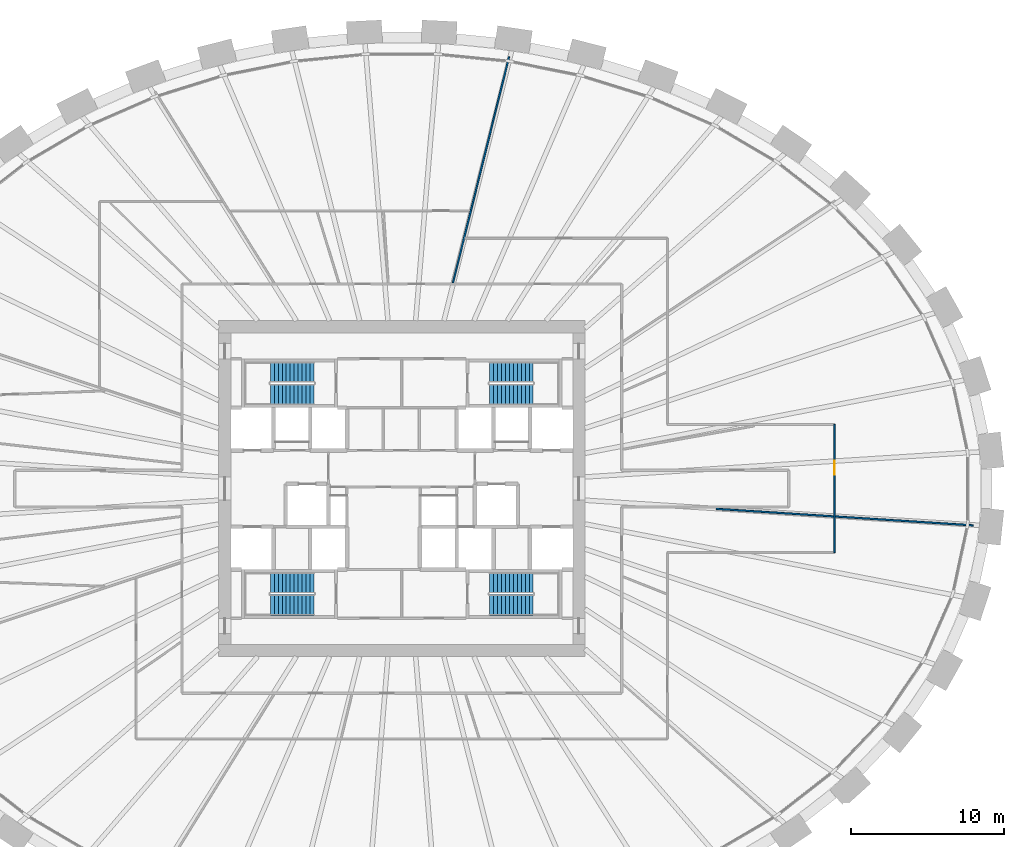
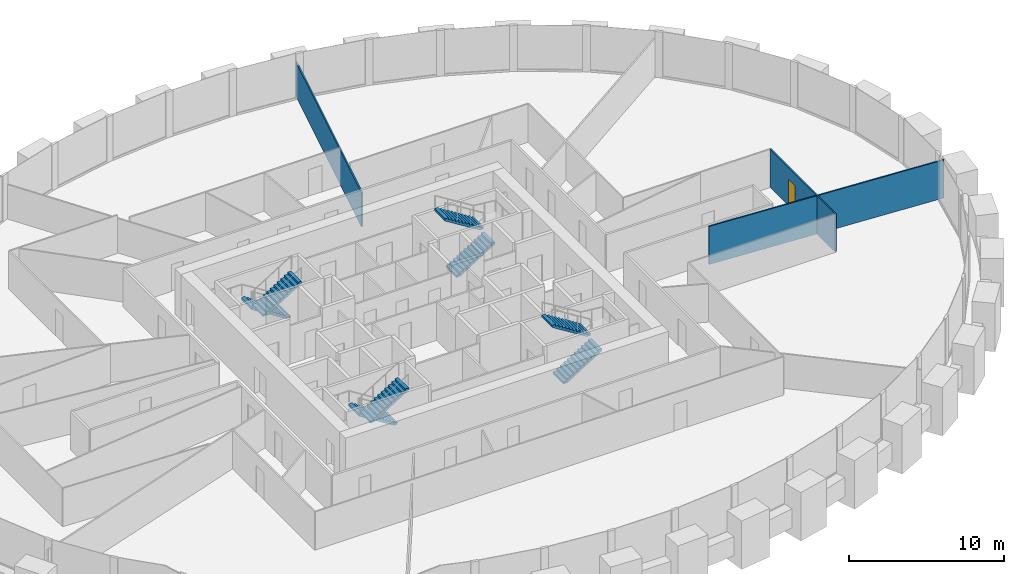
# One storey, part 10 of 11: 8 stair flights, 3 walls, 1 door, 1 opening, 4 elements without a shape of their own.
"""IFC4 building model written with IfcOpenShell, lengths in metres."""

from ifc_helpers import new_model, si_unit, direction, frame, frame_2d, origin, place, context, subcontext, project, spatial, polyline, rectangle, outline, extrude, source, transform, mapped, material, layer, layer_set, type_object, element, fill, aggregate, save


model = new_model("IFC4")

# Units and contexts
model_context = context("Model", 3, precision=1e-05, world=origin(), true_north=direction((0.0, 1.0)))
body_context = subcontext(model_context, "Body", "Model", "MODEL_VIEW")
ifc_project = project(units=[si_unit("LENGTHUNIT", "METRE"), si_unit("AREAUNIT", "SQUARE_METRE"), si_unit("VOLUMEUNIT", "CUBIC_METRE"), si_unit("PLANEANGLEUNIT", "RADIAN"), si_unit("MASSUNIT", "GRAM", prefix="KILO")], contexts=[model_context])

# Site, building, storey
site_placement = place(None, origin())
site = spatial("IfcSite", under=ifc_project, at=site_placement, CompositionType="ELEMENT")
building_placement = place(site_placement, origin())
building = spatial("IfcBuilding", under=site, at=building_placement, Name="Embergate Tower", CompositionType="ELEMENT")
storey_placement = place(building_placement, frame((0.0, 0.0, 143.699951171875)))
storey = spatial("IfcBuildingStorey", under=building, at=storey_placement, Name="L31", CompositionType="ELEMENT", Elevation=143.699951171875)

# Wall, opening, door
ifc_material_1 = material(Name="Partition dry-lined 100")
ifc_layer_1 = layer(ifc_material_1, 0.10009765625)
ifc_layer_set_1 = layer_set([ifc_layer_1], Name="Partition dry-lined 100")
wall_type_1 = type_object("IfcWallType", Name="Partition dry-lined 100", PredefinedType="PARTITIONING", material=ifc_layer_set_1)
shared_shape_1 = source(origin(), body_context, "Body", "SweptSolid", [
    extrude(rectangle(XDim=8.39990234375, YDim=0.10009765625, at=frame_2d((4.199951171875, 0.0))), origin(), (0.0, 0.0, 1.0), 3.0),
])
wall_1_placement = place(storey_placement, frame((28.35009765625, 4.199951171875, 0.0), z_axis=(0.0, 0.0, 1.0), x_axis=(0.0, -1.0, 0.0)))
wall_1 = element("IfcWall", 1, at=wall_1_placement, inside=storey, type_object=wall_type_1, Name="IP-1 wall", PredefinedType="PARTITIONING", context=body_context, shape_type="MappedRepresentation", body=[
    mapped(shared_shape_1, transform((0.0, 0.0, 0.0))),
])
shared_shape_2 = source(origin(), body_context, "Body", "SweptSolid", [
    extrude(rectangle(XDim=0.89990234375, YDim=2.10009765625, at=frame_2d((0.449951171875, 1.050048828125))), frame((0.0, 0.06005859375, 0.0), z_axis=(0.0, -1.0, 0.0), x_axis=(1.0, 0.0, 0.0)), (0.0, 0.0, 1.0), 0.1201171875),
])
opening_placement = place(wall_1_placement, frame((2.381103515625, 0.0, 0.0)))
opening = element("IfcOpeningElement", 2, at=opening_placement, cuts=wall_1, Name="Opening ID-1", PredefinedType="OPENING", context=body_context, shape_type="MappedRepresentation", body=[
    mapped(shared_shape_2, transform((0.0, 0.0, 0.0))),
])
ifc_material_2 = material(Name="Interior door 900")
door_type = type_object("IfcDoorType", Name="Interior door 900", OperationType="SINGLE_SWING_LEFT", PredefinedType="DOOR", material=ifc_material_2)
shared_shape_3 = source(origin(), body_context, "Body", "SweptSolid", [
    extrude(rectangle(XDim=0.89990234375, YDim=2.10009765625, at=frame_2d((0.449951171875, 1.050048828125))), frame((0.0, 0.02490234375, 0.0), z_axis=(0.0, -1.0, 0.0), x_axis=(1.0, 0.0, 0.0)), (0.0, 0.0, 1.0), 0.050048828125),
])
door_placement = place(opening_placement, origin())
door = element("IfcDoor", 3, at=door_placement, inside=storey, type_object=door_type, Name="ID-1 door", OperationType="SINGLE_SWING_RIGHT", OverallHeight=2.10009765625, OverallWidth=0.89990234375, PredefinedType="DOOR", context=body_context, shape_type="MappedRepresentation", body=[
    mapped(shared_shape_3, transform((0.0, 0.0, 0.0))),
])
fill(opening, door)

# Walls
ifc_material_3 = material(Name="Partition dry-lined 100 wet")
ifc_layer_2 = layer(ifc_material_3, 0.10009765625)
ifc_layer_set_2 = layer_set([ifc_layer_2], Name="Partition dry-lined 100 wet")
wall_type_2 = type_object("IfcWallType", Name="Partition dry-lined 100 wet", PredefinedType="PLUMBINGWALL", material=ifc_layer_set_2)
shared_shape_4 = source(origin(), body_context, "Body", "SweptSolid", [
    extrude(rectangle(XDim=16.8779296875, YDim=0.10009765625, at=frame_2d((8.43896484375, 0.0))), origin(), (0.0, 0.0, 1.0), 3.0),
])
wall_2_placement = place(storey_placement, frame((37.428955078125, -2.408935546875, 0.0), z_axis=(0.0, 0.0, 1.0), x_axis=(-0.9979354297, 0.064225214279, 0.0)))
element("IfcWall", 4, at=wall_2_placement, inside=storey, type_object=wall_type_2, Name="IP-1 wall", PredefinedType="PLUMBINGWALL", context=body_context, shape_type="MappedRepresentation", body=[
    mapped(shared_shape_4, transform((0.0, 0.0, 0.0))),
])
shared_shape_5 = source(origin(), body_context, "Body", "SweptSolid", [
    extrude(rectangle(XDim=15.25390625, YDim=0.10009765625, at=frame_2d((7.626953125, 0.0))), origin(), (0.0, 0.0, 1.0), 2.699951171875),
])
wall_3_placement = place(storey_placement, frame((3.35107421875, 13.487060546875, 0.0), z_axis=(0.0, 0.0, 1.0), x_axis=(0.241115625905, 0.970496396152, 0.0)))
element("IfcWall", 5, at=wall_3_placement, inside=storey, type_object=wall_type_1, Name="IP-1 wall", PredefinedType="PARTITIONING", context=body_context, shape_type="MappedRepresentation", body=[
    mapped(shared_shape_5, transform((0.0, 0.0, 0.0))),
])

# Stair, stair flights
ifc_material_4 = material(Name="Exit stair")
stair_type = type_object("IfcStairType", Name="Exit stair", PredefinedType="HALF_TURN_STAIR", material=ifc_material_4)
stair_1_placement = place(storey_placement, origin())
stair_1 = element("IfcStair", 6, at=stair_1_placement, inside=storey, type_object=stair_type, Name="L31 Exit stair 1", PredefinedType="HALF_TURN_STAIR")
ifc_material_5 = material(Name="Concrete C40", Category="concrete")
stair_flight_type = type_object("IfcStairFlightType", Name="Stair flight reinforced concrete", PredefinedType="STRAIGHT", material=ifc_material_5)
shared_shape_6 = source(origin(), body_context, "Body", "SweptSolid", [
    extrude(outline(polyline([(0.0, 0.0), (0.0, 0.16259765625), (0.260009765625, 0.16259765625), (0.260009765625, 0.324951171875), (0.52001953125, 0.324951171875), (0.52001953125, 0.487548828125), (0.780029296875, 0.487548828125), (0.780029296875, 0.64990234375), (1.0400390625, 0.64990234375), (1.0400390625, 0.8125), (1.300048828125, 0.8125), (1.300048828125, 0.97509765625), (1.56005859375, 0.97509765625), (1.56005859375, 1.137451171875), (1.820068359375, 1.137451171875), (1.820068359375, 1.300048828125), (2.080078125, 1.300048828125), (2.080078125, 1.46240234375), (2.340087890625, 1.46240234375), (2.340087890625, 1.625), (2.60009765625, 1.625), (2.60009765625, 1.78759765625), (2.860107421875, 1.78759765625), (2.860107421875, 1.949951171875), (2.860107421875, 1.61083984375), (0.28271484375, 0.0), (0.0, 0.0)])), frame((0.0, 0.675048828125, 0.0), z_axis=(0.0, -1.0, 0.0), x_axis=(1.0, 0.0, 0.0)), (0.0, 0.0, 1.0), 1.35009765625),
])
stair_flight_1_placement = place(storey_placement, frame((-5.75, 7.625, 0.0), z_axis=(0.0, 0.0, 1.0), x_axis=(-1.0, 0.0, 0.0)))
stair_flight_1 = element("IfcStairFlight", 7, at=stair_flight_1_placement, type_object=stair_flight_type, Name="ST1 flight 1", NumberOfRisers=12, NumberOfTreads=11, PredefinedType="STRAIGHT", RiserHeight=0.1625, TreadLength=0.26, context=body_context, shape_type="MappedRepresentation", body=[
    mapped(shared_shape_6, transform((0.0, 0.0, 0.0))),
])
stair_flight_2_placement = place(storey_placement, frame((-8.610107421875, 6.175048828125, 1.949951171875), z_axis=(0.0, 0.0, 1.0), x_axis=(1.0, 0.0, 0.0)))
stair_flight_2 = element("IfcStairFlight", 8, at=stair_flight_2_placement, type_object=stair_flight_type, Name="ST1 flight 2", NumberOfRisers=12, NumberOfTreads=11, PredefinedType="STRAIGHT", RiserHeight=0.1625, TreadLength=0.26, context=body_context, shape_type="MappedRepresentation", body=[
    mapped(shared_shape_6, transform((0.0, 0.0, 0.0))),
])
aggregate(stair_1, [stair_flight_1, stair_flight_2])

stair_2_placement = place(storey_placement, origin())
stair_2 = element("IfcStair", 9, at=stair_2_placement, inside=storey, type_object=stair_type, Name="L31 Exit stair 2", PredefinedType="HALF_TURN_STAIR")
stair_flight_3_placement = place(storey_placement, frame((5.75, 6.175048828125, 0.0), z_axis=(0.0, 0.0, 1.0), x_axis=(1.0, 0.0, 0.0)))
stair_flight_3 = element("IfcStairFlight", 10, at=stair_flight_3_placement, type_object=stair_flight_type, Name="ST2 flight 1", NumberOfRisers=12, NumberOfTreads=11, PredefinedType="STRAIGHT", RiserHeight=0.1625, TreadLength=0.26, context=body_context, shape_type="MappedRepresentation", body=[
    mapped(shared_shape_6, transform((0.0, 0.0, 0.0))),
])
stair_flight_4_placement = place(storey_placement, frame((8.610107421875, 7.625, 1.949951171875), z_axis=(0.0, 0.0, 1.0), x_axis=(-1.0, 0.0, 0.0)))
stair_flight_4 = element("IfcStairFlight", 11, at=stair_flight_4_placement, type_object=stair_flight_type, Name="ST2 flight 2", NumberOfRisers=12, NumberOfTreads=11, PredefinedType="STRAIGHT", RiserHeight=0.1625, TreadLength=0.26, context=body_context, shape_type="MappedRepresentation", body=[
    mapped(shared_shape_6, transform((0.0, 0.0, 0.0))),
])
aggregate(stair_2, [stair_flight_3, stair_flight_4])

stair_3_placement = place(storey_placement, origin())
stair_3 = element("IfcStair", 12, at=stair_3_placement, inside=storey, type_object=stair_type, Name="L31 Exit stair 3", PredefinedType="HALF_TURN_STAIR")
stair_flight_5_placement = place(storey_placement, frame((-5.75, -6.175048828125, 0.0), z_axis=(0.0, 0.0, 1.0), x_axis=(-1.0, 0.0, 0.0)))
stair_flight_5 = element("IfcStairFlight", 13, at=stair_flight_5_placement, type_object=stair_flight_type, Name="ST3 flight 1", NumberOfRisers=12, NumberOfTreads=11, PredefinedType="STRAIGHT", RiserHeight=0.1625, TreadLength=0.26, context=body_context, shape_type="MappedRepresentation", body=[
    mapped(shared_shape_6, transform((0.0, 0.0, 0.0))),
])
stair_flight_6_placement = place(storey_placement, frame((-8.610107421875, -7.625, 1.949951171875), z_axis=(0.0, 0.0, 1.0), x_axis=(1.0, 0.0, 0.0)))
stair_flight_6 = element("IfcStairFlight", 14, at=stair_flight_6_placement, type_object=stair_flight_type, Name="ST3 flight 2", NumberOfRisers=12, NumberOfTreads=11, PredefinedType="STRAIGHT", RiserHeight=0.1625, TreadLength=0.26, context=body_context, shape_type="MappedRepresentation", body=[
    mapped(shared_shape_6, transform((0.0, 0.0, 0.0))),
])
aggregate(stair_3, [stair_flight_5, stair_flight_6])

stair_4_placement = place(storey_placement, origin())
stair_4 = element("IfcStair", 15, at=stair_4_placement, inside=storey, type_object=stair_type, Name="L31 Exit stair 4", PredefinedType="HALF_TURN_STAIR")
stair_flight_7_placement = place(storey_placement, frame((5.75, -7.625, 0.0), z_axis=(0.0, 0.0, 1.0), x_axis=(1.0, 0.0, 0.0)))
stair_flight_7 = element("IfcStairFlight", 16, at=stair_flight_7_placement, type_object=stair_flight_type, Name="ST4 flight 1", NumberOfRisers=12, NumberOfTreads=11, PredefinedType="STRAIGHT", RiserHeight=0.1625, TreadLength=0.26, context=body_context, shape_type="MappedRepresentation", body=[
    mapped(shared_shape_6, transform((0.0, 0.0, 0.0))),
])
stair_flight_8_placement = place(storey_placement, frame((8.610107421875, -6.175048828125, 1.949951171875), z_axis=(0.0, 0.0, 1.0), x_axis=(-1.0, 0.0, 0.0)))
stair_flight_8 = element("IfcStairFlight", 17, at=stair_flight_8_placement, type_object=stair_flight_type, Name="ST4 flight 2", NumberOfRisers=12, NumberOfTreads=11, PredefinedType="STRAIGHT", RiserHeight=0.1625, TreadLength=0.26, context=body_context, shape_type="MappedRepresentation", body=[
    mapped(shared_shape_6, transform((0.0, 0.0, 0.0))),
])
aggregate(stair_4, [stair_flight_7, stair_flight_8])

save(model, "model.ifc")
